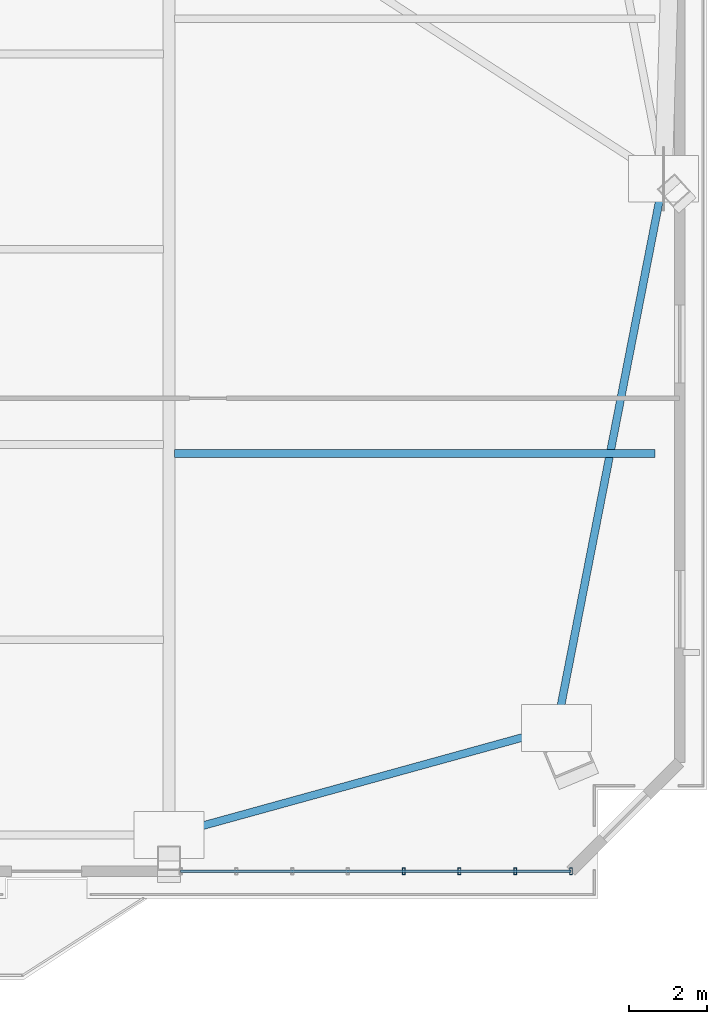
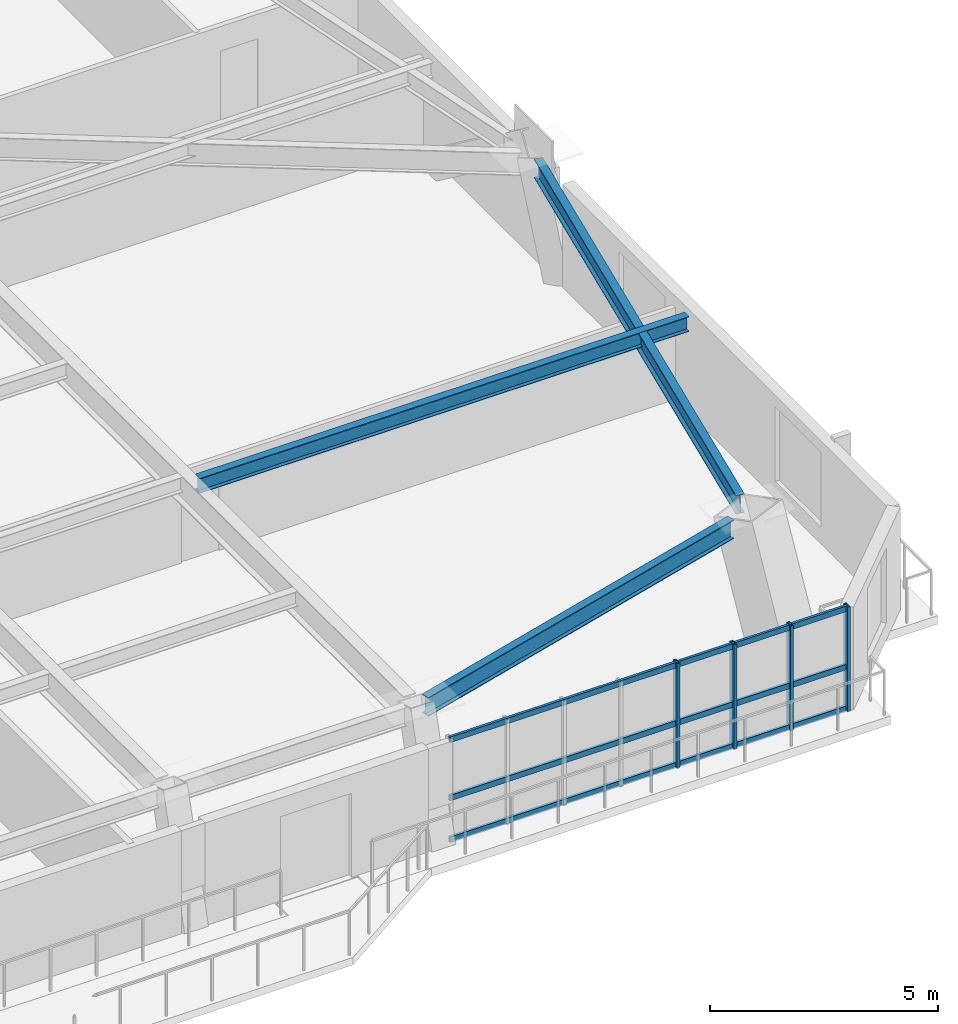
# One storey, part 5 of 16: 7 members, 3 beams, 1 element without a shape of its own.
"""IFC4 building model written with IfcOpenShell, lengths in metres."""

from ifc_helpers import new_model, si_unit, direction, frame, origin, origin_2d, place, context, subcontext, project, spatial, hollow_rectangle, i_section, extrude, source, transform, mapped, material, layer, layer_set, material_profile, profile_set, type_object, element, aggregate, save


model = new_model("IFC4")

# Units and contexts
model_context = context("Model", 3, precision=1e-05, world=origin(), true_north=direction((0.0, 1.0)))
body_context = subcontext(model_context, "Body", "Model", "MODEL_VIEW")
ifc_project = project(units=[si_unit("LENGTHUNIT", "METRE"), si_unit("AREAUNIT", "SQUARE_METRE"), si_unit("VOLUMEUNIT", "CUBIC_METRE"), si_unit("PLANEANGLEUNIT", "RADIAN"), si_unit("MASSUNIT", "GRAM", prefix="KILO")], contexts=[model_context])

# Site, building, storey
site_placement = place(None, origin())
site = spatial("IfcSite", under=ifc_project, at=site_placement, CompositionType="ELEMENT")
building_placement = place(site_placement, origin())
building = spatial("IfcBuilding", under=site, at=building_placement, Name="Giltprow Tower", CompositionType="ELEMENT")
storey_placement = place(building_placement, frame((0.0, 0.0, 209.699951171875)))
storey = spatial("IfcBuildingStorey", under=building, at=storey_placement, Name="L53", CompositionType="ELEMENT", Elevation=209.699951171875)

# Beams
ifc_material_1 = material(Name="Structural steel Q355B", Category="steel")
ifc_material_profile_1 = material_profile(ifc_material_1, i_section(OverallWidth=0.199951171875, OverallDepth=0.5, WebThickness=0.010009765625, FlangeThickness=0.01611328125, at=origin_2d()), Name="HN 500x200x10x16")
ifc_profile_set_1 = profile_set([ifc_material_profile_1], Name="Structural steel Q355B")
beam_type_1 = type_object("IfcBeamType", Name="BM-SPAN-HN500", PredefinedType="SPANDREL", material=ifc_profile_set_1)
shared_shape_1 = source(origin(), body_context, "Body", "SweptSolid", [
    extrude(i_section(OverallWidth=0.199951171875, OverallDepth=0.5, WebThickness=0.010009765625, FlangeThickness=0.01611328125, at=origin_2d()), origin(), (0.0, 0.0, 1.0), 9.530517578125),
])
beam_1_placement = place(storey_placement, frame((50.824951171875, 12.39404296875, 3.02001953125), z_axis=(0.963951167116, 0.266079212672, 0.0), x_axis=(-0.266079212672, 0.963951167116, 0.0)))
element("IfcBeam", 1, at=beam_1_placement, inside=storey, type_object=beam_type_1, Name="L53 Perimeter Spandrel Beam S4-MC_SE", PredefinedType="SPANDREL", context=body_context, shape_type="MappedRepresentation", body=[
    mapped(shared_shape_1, transform((0.0, 0.0, 0.0), x_axis=(1.0, 0.0, 0.0), y_axis=(0.0, 1.0, 0.0), z_axis=(0.0, 0.0, 1.0), scale=1.0)),
])
shared_shape_2 = source(origin(), body_context, "Body", "SweptSolid", [
    extrude(i_section(OverallWidth=0.199951171875, OverallDepth=0.5, WebThickness=0.010009765625, FlangeThickness=0.01611328125, at=origin_2d()), origin(), (0.0, 0.0, 1.0), 13.582763671875),
])
beam_2_placement = place(storey_placement, frame((60.6298828125, 15.596923828125, 3.02001953125), z_axis=(0.191281458671, 0.98153522788, 0.0), x_axis=(-0.98153522788, 0.191281458671, 0.0)))
element("IfcBeam", 2, at=beam_2_placement, inside=storey, type_object=beam_type_1, Name="L53 Perimeter Spandrel Beam MC_SE-E_MID", PredefinedType="SPANDREL", context=body_context, shape_type="MappedRepresentation", body=[
    mapped(shared_shape_2, transform((0.0, 0.0, 0.0), x_axis=(1.0, 0.0, 0.0), y_axis=(0.0, 1.0, 0.0), z_axis=(0.0, 0.0, 1.0), scale=1.0)),
])
ifc_material_profile_2 = material_profile(ifc_material_1, i_section(OverallWidth=0.199951171875, OverallDepth=0.39990234375, WebThickness=0.008056640625, FlangeThickness=0.012939453125, at=origin_2d()), Name="HN 400x200x8x13")
ifc_profile_set_2 = profile_set([ifc_material_profile_2], Name="Structural steel Q355B")
beam_type_2 = type_object("IfcBeamType", Name="BM-JOIST-HN400", PredefinedType="JOIST", material=ifc_profile_set_2)
shared_shape_3 = source(origin(), body_context, "Body", "SweptSolid", [
    extrude(i_section(OverallWidth=0.199951171875, OverallDepth=0.39990234375, WebThickness=0.008056640625, FlangeThickness=0.012939453125, at=origin_2d()), origin(), (0.0, 0.0, 1.0), 12.366943359375),
])
beam_3_placement = place(storey_placement, frame((50.695068359375, 22.139892578125, 3.070068359375), z_axis=(1.0, 0.0, 0.0), x_axis=(0.0, 1.0, 0.0)))
element("IfcBeam", 3, at=beam_3_placement, inside=storey, type_object=beam_type_2, Name="L53 East Wing Floor Joist 1", PredefinedType="JOIST", context=body_context, shape_type="MappedRepresentation", body=[
    mapped(shared_shape_3, transform((0.0, 0.0, 0.0), x_axis=(1.0, 0.0, 0.0), y_axis=(0.0, 1.0, 0.0), z_axis=(0.0, 0.0, 1.0), scale=1.0)),
])

# Curtain wall, members
ifc_material_2 = material(Name="Anodized bronze", Category="metal")
ifc_layer = layer(ifc_material_2, 0.179931640625, Name="Anodized bronze")
ifc_layer_set = layer_set([ifc_layer], Name="Anodized bronze")
curtain_wall_type = type_object("IfcCurtainWallType", Name="CW-HTL-BRONZE", PredefinedType="NOTDEFINED", material=ifc_layer_set)
curtain_wall_placement = place(storey_placement, origin())
curtain_wall = element("IfcCurtainWall", 4, at=curtain_wall_placement, inside=storey, type_object=curtain_wall_type, Name="L53 South Recessed Curtain Wall 6", PredefinedType="NOTDEFINED")
ifc_material_profile_3 = material_profile(ifc_material_2, hollow_rectangle(XDim=0.074951171875, YDim=0.179931640625, WallThickness=0.008056640625, at=origin_2d()), Name="RHS 180x75x8")
ifc_profile_set_3 = profile_set([ifc_material_profile_3], Name="Anodized bronze")
member_type_1 = type_object("IfcMemberType", Name="CW-MULLION-180x75", PredefinedType="MULLION", material=ifc_profile_set_3)
shared_shape_4 = source(origin(), body_context, "Body", "SweptSolid", [
    extrude(hollow_rectangle(XDim=0.074951171875, YDim=0.179931640625, WallThickness=0.008056640625, at=origin_2d()), origin(), (0.0, 0.0, 1.0), 2.80517578125),
])
member_1_placement = place(storey_placement, frame((56.592041015625, 11.385986328125, -0.02001953125), z_axis=(0.0, 0.0, 1.0), x_axis=(1.0, 0.0, 0.0)))
member_1 = element("IfcMember", 5, at=member_1_placement, type_object=member_type_1, Name="L53 South Recessed Curtain Wall 6 Mullion 5", PredefinedType="MULLION", context=body_context, shape_type="MappedRepresentation", body=[
    mapped(shared_shape_4, transform((0.0, 0.0, 0.0), x_axis=(1.0, 0.0, 0.0), y_axis=(0.0, 1.0, 0.0), z_axis=(0.0, 0.0, 1.0), scale=1.0)),
])
member_2_placement = place(storey_placement, frame((58.027099609375, 11.385986328125, -0.02001953125), z_axis=(0.0, 0.0, 1.0), x_axis=(1.0, 0.0, 0.0)))
member_2 = element("IfcMember", 6, at=member_2_placement, type_object=member_type_1, Name="L53 South Recessed Curtain Wall 6 Mullion 6", PredefinedType="MULLION", context=body_context, shape_type="MappedRepresentation", body=[
    mapped(shared_shape_4, transform((0.0, 0.0, 0.0), x_axis=(1.0, 0.0, 0.0), y_axis=(0.0, 1.0, 0.0), z_axis=(0.0, 0.0, 1.0), scale=1.0)),
])
member_3_placement = place(storey_placement, frame((59.462890625, 11.385986328125, -0.02001953125), z_axis=(0.0, 0.0, 1.0), x_axis=(1.0, 0.0, 0.0)))
member_3 = element("IfcMember", 7, at=member_3_placement, type_object=member_type_1, Name="L53 South Recessed Curtain Wall 6 Mullion 7", PredefinedType="MULLION", context=body_context, shape_type="MappedRepresentation", body=[
    mapped(shared_shape_4, transform((0.0, 0.0, 0.0), x_axis=(1.0, 0.0, 0.0), y_axis=(0.0, 1.0, 0.0), z_axis=(0.0, 0.0, 1.0), scale=1.0)),
])
member_4_placement = place(storey_placement, frame((60.89794921875, 11.385986328125, -0.02001953125), z_axis=(0.0, 0.0, 1.0), x_axis=(1.0, 0.0, 0.0)))
member_4 = element("IfcMember", 8, at=member_4_placement, type_object=member_type_1, Name="L53 South Recessed Curtain Wall 6 Mullion 8", PredefinedType="MULLION", context=body_context, shape_type="MappedRepresentation", body=[
    mapped(shared_shape_4, transform((0.0, 0.0, 0.0), x_axis=(1.0, 0.0, 0.0), y_axis=(0.0, 1.0, 0.0), z_axis=(0.0, 0.0, 1.0), scale=1.0)),
])
ifc_material_profile_4 = material_profile(ifc_material_2, hollow_rectangle(XDim=0.06494140625, YDim=0.14990234375, WallThickness=0.006103515625, at=origin_2d()), Name="RHS 150x65x6")
ifc_profile_set_4 = profile_set([ifc_material_profile_4], Name="Anodized bronze")
member_type_2 = type_object("IfcMemberType", Name="CW-TRANSOM-150x65", PredefinedType="USERDEFINED", material=ifc_profile_set_4)
shared_shape_5 = source(origin(), body_context, "Body", "SweptSolid", [
    extrude(hollow_rectangle(XDim=0.06494140625, YDim=0.14990234375, WallThickness=0.006103515625, at=origin_2d()), origin(), (0.0, 0.0, 1.0), 10.0478515625),
])
member_5_placement = place(storey_placement, frame((50.85009765625, 11.385986328125, 0.0400390625), z_axis=(1.0, 0.0, 0.0), x_axis=(0.0, 1.0, 0.0)))
member_5 = element("IfcMember", 9, at=member_5_placement, type_object=member_type_2, Name="L53 South Recessed Curtain Wall 6 Transom 1", ObjectType="TRANSOM", PredefinedType="USERDEFINED", context=body_context, shape_type="MappedRepresentation", body=[
    mapped(shared_shape_5, transform((0.0, 0.0, 0.0), x_axis=(1.0, 0.0, 0.0), y_axis=(0.0, 1.0, 0.0), z_axis=(0.0, 0.0, 1.0), scale=1.0)),
])
member_6_placement = place(storey_placement, frame((50.85009765625, 11.385986328125, 1.155029296875), z_axis=(1.0, 0.0, 0.0), x_axis=(0.0, 1.0, 0.0)))
member_6 = element("IfcMember", 10, at=member_6_placement, type_object=member_type_2, Name="L53 South Recessed Curtain Wall 6 Transom 2", ObjectType="TRANSOM", PredefinedType="USERDEFINED", context=body_context, shape_type="MappedRepresentation", body=[
    mapped(shared_shape_5, transform((0.0, 0.0, 0.0), x_axis=(1.0, 0.0, 0.0), y_axis=(0.0, 1.0, 0.0), z_axis=(0.0, 0.0, 1.0), scale=1.0)),
])
member_7_placement = place(storey_placement, frame((50.85009765625, 11.385986328125, 2.7099609375), z_axis=(1.0, 0.0, 0.0), x_axis=(0.0, 1.0, 0.0)))
member_7 = element("IfcMember", 11, at=member_7_placement, type_object=member_type_2, Name="L53 South Recessed Curtain Wall 6 Transom 3", ObjectType="TRANSOM", PredefinedType="USERDEFINED", context=body_context, shape_type="MappedRepresentation", body=[
    mapped(shared_shape_5, transform((0.0, 0.0, 0.0), x_axis=(1.0, 0.0, 0.0), y_axis=(0.0, 1.0, 0.0), z_axis=(0.0, 0.0, 1.0), scale=1.0)),
])
aggregate(curtain_wall, [member_1, member_2, member_3, member_4, member_5, member_6, member_7])

save(model, "model.ifc")
